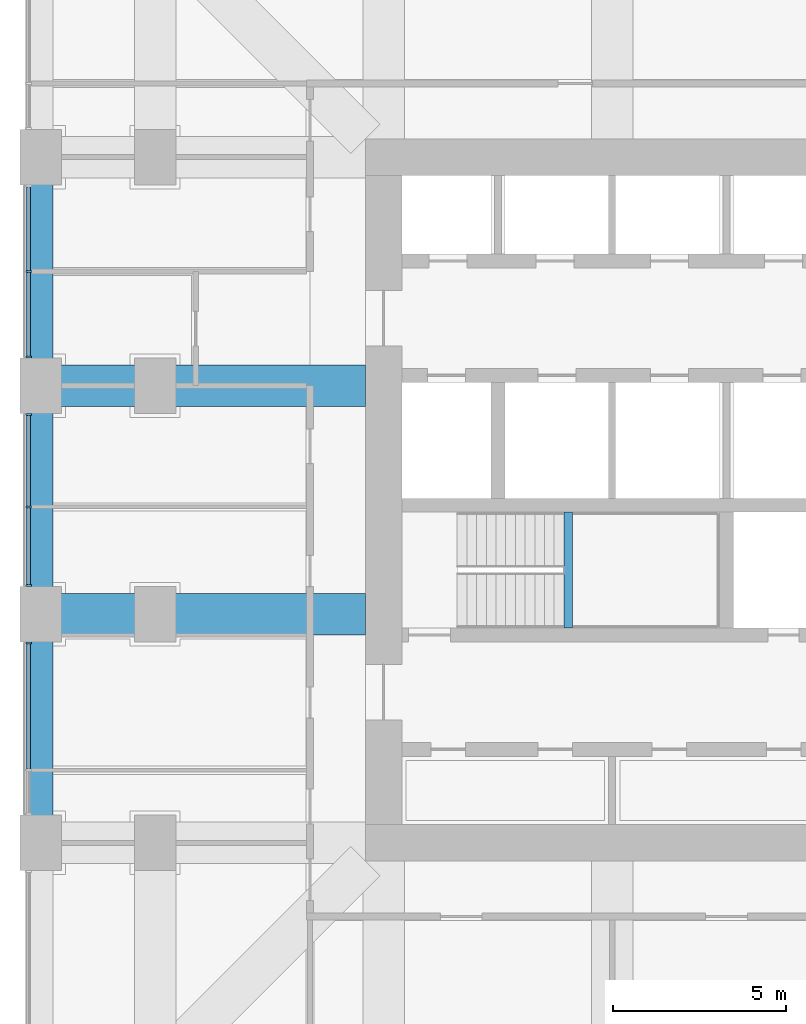
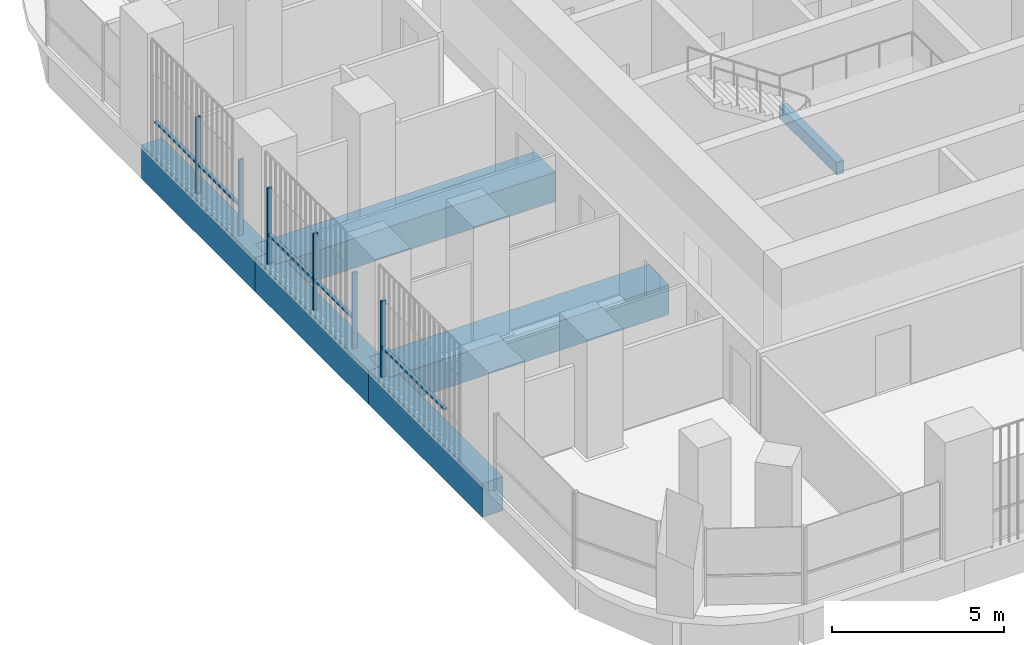
# One storey, part 4 of 20: 11 members, 6 beams, 3 elements without a shape of their own.
"""IFC4 building model written with IfcOpenShell, lengths in metres."""

from ifc_helpers import new_model, si_unit, direction, frame, origin, origin_2d, place, context, subcontext, project, spatial, rectangle, extrude, material, material_profile, profile_set, type_object, element, aggregate, save


model = new_model("IFC4")

# Units and contexts
model_context = context("Model", 3, precision=1e-05, world=origin(), true_north=direction((0.0, 1.0)))
body_context = subcontext(model_context, "Body", "Model", "MODEL_VIEW")
ifc_project = project(units=[si_unit("LENGTHUNIT", "METRE"), si_unit("AREAUNIT", "SQUARE_METRE"), si_unit("VOLUMEUNIT", "CUBIC_METRE"), si_unit("PLANEANGLEUNIT", "RADIAN"), si_unit("MASSUNIT", "GRAM", prefix="KILO")], contexts=[model_context])

# Site, building, storey
site_placement = place(None, origin())
site = spatial("IfcSite", under=ifc_project, at=site_placement, CompositionType="ELEMENT")
building_placement = place(site_placement, origin())
building = spatial("IfcBuilding", under=site, at=building_placement, Name="Cobogo Forest Laboratory Tower", CompositionType="ELEMENT")
storey_placement = place(building_placement, frame((0.0, 0.0, 189.300048828125)))
storey = spatial("IfcBuildingStorey", under=building, at=storey_placement, Name="L43", CompositionType="ELEMENT", Elevation=189.300048828125)

# Beams
ifc_material_1 = material(Name="Concrete HA-40 (C40/50)", Category="concrete")
ifc_material_profile_1 = material_profile(ifc_material_1, rectangle(XDim=0.25, YDim=0.449951171875, at=origin_2d()), Name="RC 250x450")
ifc_profile_set_1 = profile_set([ifc_material_profile_1], Name="Concrete HA-40 (C40/50)")
beam_type_1 = type_object("IfcBeamType", Name="LB1 landing beam 250x450", PredefinedType="BEAM", material=ifc_profile_set_1)
beam_1_placement = place(storey_placement, frame((18.530029296875, 19.39990234375, 1.675048828125), z_axis=(0.0, 1.0, 0.0), x_axis=(-1.0, 0.0, 0.0)))
element("IfcBeam", 1, at=beam_1_placement, inside=storey, type_object=beam_type_1, Name="Landing beam ST1 L43", PredefinedType="BEAM", context=body_context, shape_type="SweptSolid", body=[
    extrude(rectangle(XDim=0.25, YDim=0.449951171875, at=origin_2d()), origin(), (0.0, 0.0, 1.0), 3.35009765625),
])
ifc_material_profile_2 = material_profile(ifc_material_1, rectangle(XDim=1.199951171875, YDim=1.050048828125, at=origin_2d()), Name="RC 1200x1050")
ifc_profile_set_2 = profile_set([ifc_material_profile_2], Name="Concrete HA-40 (C40/50)")
beam_type_2 = type_object("IfcBeamType", Name="Laboratory floor wide beam 1200x1050", PredefinedType="BEAM", material=ifc_profile_set_2)
for number, where, z_axis, x_axis, name in (
    (2, (12.675048828125, 19.800048828125, -0.824951171875), (-1.0, 0.0, 0.0), (0.0, -1.0, 0.0), "RB1 R-D-W L43"),
    (3, (12.675048828125, 26.39990234375, -0.824951171875), (-1.0, 0.0, 0.0), (0.0, -1.0, 0.0), "RB1 R-E-W L43"),
):
    element("IfcBeam", number, at=place(storey_placement, frame(where, z_axis=z_axis, x_axis=x_axis)), inside=storey, type_object=beam_type_2, Name=name, PredefinedType="BEAM", context=body_context, shape_type="SweptSolid", body=[
        extrude(rectangle(XDim=1.199951171875, YDim=1.050048828125, at=origin_2d()), origin(), (0.0, 0.0, 1.0), 9.375),
    ])

# Curtain wall, members
ifc_material_2 = material(Name="Aluminium curtain wall", Category="aluminium")
curtain_wall_type = type_object("IfcCurtainWallType", Name="CW-2 unitised curtain wall, solar control glazing, laboratory floors zones C and D", PredefinedType="USERDEFINED", material=ifc_material_2)
curtain_wall_1_placement = place(storey_placement, origin())
curtain_wall_1 = element("IfcCurtainWall", 4, at=curtain_wall_1_placement, inside=storey, type_object=curtain_wall_type, Name="Curtain wall 25 L43", ObjectType="UNITISED CURTAIN WALL", PredefinedType="USERDEFINED")
ifc_material_3 = material(Name="Aluminium mullion", Category="aluminium")
ifc_material_profile_3 = material_profile(ifc_material_3, rectangle(XDim=0.06005859375, YDim=0.159912109375, at=origin_2d()), Name="AL 60x160")
ifc_profile_set_3 = profile_set([ifc_material_profile_3], Name="Aluminium mullion")
member_type_1 = type_object("IfcMemberType", Name="MU-1 aluminium mullion 60x160", PredefinedType="MULLION", material=ifc_profile_set_3)
member_1_placement = place(storey_placement, frame((2.949951171875, 29.699951171875, 0.0), z_axis=(0.0, 0.0, 1.0), x_axis=(0.0, -1.0, 0.0)))
member_1 = element("IfcMember", 5, at=member_1_placement, type_object=member_type_1, Name="CW-2 mullion 2", PredefinedType="MULLION", context=body_context, shape_type="SweptSolid", body=[
    extrude(rectangle(XDim=0.06005859375, YDim=0.159912109375, at=origin_2d()), origin(), (0.0, 0.0, 1.0), 2.699951171875),
])
member_2_placement = place(storey_placement, frame((2.949951171875, 27.22998046875, 0.0), z_axis=(0.0, 0.0, 1.0), x_axis=(0.0, -1.0, 0.0)))
member_2 = element("IfcMember", 6, at=member_2_placement, type_object=member_type_1, Name="CW-2 mullion 3", PredefinedType="MULLION", context=body_context, shape_type="SweptSolid", body=[
    extrude(rectangle(XDim=0.06005859375, YDim=0.159912109375, at=origin_2d()), origin(), (0.0, 0.0, 1.0), 2.699951171875),
])

curtain_wall_2_placement = place(storey_placement, origin())
curtain_wall_2 = element("IfcCurtainWall", 7, at=curtain_wall_2_placement, inside=storey, type_object=curtain_wall_type, Name="Curtain wall 26 L43", ObjectType="UNITISED CURTAIN WALL", PredefinedType="USERDEFINED")
member_3_placement = place(storey_placement, frame((2.949951171875, 25.570068359375, 0.0), z_axis=(0.0, 0.0, 1.0), x_axis=(0.0, -1.0, 0.0)))
member_3 = element("IfcMember", 8, at=member_3_placement, type_object=member_type_1, Name="CW-2 mullion 1", PredefinedType="MULLION", context=body_context, shape_type="SweptSolid", body=[
    extrude(rectangle(XDim=0.06005859375, YDim=0.159912109375, at=origin_2d()), origin(), (0.0, 0.0, 1.0), 2.699951171875),
])
member_4_placement = place(storey_placement, frame((2.949951171875, 22.89990234375, 0.0), z_axis=(0.0, 0.0, 1.0), x_axis=(0.0, -1.0, 0.0)))
member_4 = element("IfcMember", 9, at=member_4_placement, type_object=member_type_1, Name="CW-2 mullion 2", PredefinedType="MULLION", context=body_context, shape_type="SweptSolid", body=[
    extrude(rectangle(XDim=0.06005859375, YDim=0.159912109375, at=origin_2d()), origin(), (0.0, 0.0, 1.0), 2.699951171875),
])
member_5_placement = place(storey_placement, frame((2.949951171875, 20.6298828125, 0.0), z_axis=(0.0, 0.0, 1.0), x_axis=(0.0, -1.0, 0.0)))
member_5 = element("IfcMember", 10, at=member_5_placement, type_object=member_type_1, Name="CW-2 mullion 3", PredefinedType="MULLION", context=body_context, shape_type="SweptSolid", body=[
    extrude(rectangle(XDim=0.06005859375, YDim=0.159912109375, at=origin_2d()), origin(), (0.0, 0.0, 1.0), 2.699951171875),
])

# Curtain wall, member
curtain_wall_3_placement = place(storey_placement, origin())
curtain_wall_3 = element("IfcCurtainWall", 11, at=curtain_wall_3_placement, inside=storey, type_object=curtain_wall_type, Name="Curtain wall 27 L43", ObjectType="UNITISED CURTAIN WALL", PredefinedType="USERDEFINED")
member_6_placement = place(storey_placement, frame((2.949951171875, 18.969970703125, 0.0), z_axis=(0.0, 0.0, 1.0), x_axis=(0.0, -1.0, 0.0)))
member_6 = element("IfcMember", 12, at=member_6_placement, type_object=member_type_1, Name="CW-2 mullion 1", PredefinedType="MULLION", context=body_context, shape_type="SweptSolid", body=[
    extrude(rectangle(XDim=0.06005859375, YDim=0.159912109375, at=origin_2d()), origin(), (0.0, 0.0, 1.0), 2.699951171875),
])

# Beams
ifc_material_profile_4 = material_profile(ifc_material_1, rectangle(XDim=0.699951171875, YDim=1.199951171875, at=origin_2d()), Name="RC 700x1200")
ifc_profile_set_4 = profile_set([ifc_material_profile_4], Name="Concrete HA-40 (C40/50)")
beam_type_3 = type_object("IfcBeamType", Name="Perimeter edge beam 700x1200", PredefinedType="BEAM", material=ifc_profile_set_4)
beam_2_placement = place(storey_placement, frame((3.300048828125, 13.199951171875, -0.900146484375), z_axis=(0.0, 1.0, 0.0), x_axis=(-1.0, 0.0, 0.0)))
element("IfcBeam", 13, at=beam_2_placement, inside=storey, type_object=beam_type_3, Name="EB1 E-W1 L43", PredefinedType="BEAM", context=body_context, shape_type="SweptSolid", body=[
    extrude(rectangle(XDim=0.699951171875, YDim=1.199951171875, at=origin_2d()), origin(), (0.0, 0.0, 1.0), 6.60009765625),
])
beam_3_placement = place(storey_placement, frame((3.300048828125, 19.800048828125, -0.900146484375), z_axis=(0.0, 1.0, 0.0), x_axis=(-1.0, 0.0, 0.0)))
element("IfcBeam", 14, at=beam_3_placement, inside=storey, type_object=beam_type_3, Name="EB1 E-W2 L43", PredefinedType="BEAM", context=body_context, shape_type="SweptSolid", body=[
    extrude(rectangle(XDim=0.699951171875, YDim=1.199951171875, at=origin_2d()), origin(), (0.0, 0.0, 1.0), 6.599853515625),
])
beam_4_placement = place(storey_placement, frame((3.300048828125, 26.39990234375, -0.900146484375), z_axis=(0.0, 1.0, 0.0), x_axis=(-1.0, 0.0, 0.0)))
element("IfcBeam", 15, at=beam_4_placement, inside=storey, type_object=beam_type_3, Name="EB1 E-W3 L43", PredefinedType="BEAM", context=body_context, shape_type="SweptSolid", body=[
    extrude(rectangle(XDim=0.699951171875, YDim=1.199951171875, at=origin_2d()), origin(), (0.0, 0.0, 1.0), 6.60009765625),
])

# Member
ifc_material_4 = material(Name="Aluminium transom", Category="aluminium")
ifc_material_profile_5 = material_profile(ifc_material_4, rectangle(XDim=0.1201171875, YDim=0.06005859375, at=origin_2d()), Name="AL 60x120")
ifc_profile_set_5 = profile_set([ifc_material_profile_5], Name="Aluminium transom")
member_type_2 = type_object("IfcMemberType", Name="TR-1 aluminium transom 60x120", PredefinedType="USERDEFINED", material=ifc_profile_set_5)
member_7_placement = place(storey_placement, frame((2.949951171875, 32.139892578125, 1.050048828125), z_axis=(0.0, -1.0, 0.0), x_axis=(1.0, 0.0, 0.0)))
member_7 = element("IfcMember", 16, at=member_7_placement, type_object=member_type_2, Name="CW-2 transom 1.1", ObjectType="TRANSOM", PredefinedType="USERDEFINED", context=body_context, shape_type="SweptSolid", body=[
    extrude(rectangle(XDim=0.1201171875, YDim=0.06005859375, at=origin_2d()), origin(), (0.0, 0.0, 1.0), 2.409912109375),
])

member_8_placement = place(storey_placement, frame((2.949951171875, 29.669921875, 1.050048828125), z_axis=(0.0, -1.0, 0.0), x_axis=(1.0, 0.0, 0.0)))
member_8 = element("IfcMember", 17, at=member_8_placement, type_object=member_type_2, Name="CW-2 transom 2.1", ObjectType="TRANSOM", PredefinedType="USERDEFINED", context=body_context, shape_type="SweptSolid", body=[
    extrude(rectangle(XDim=0.1201171875, YDim=0.06005859375, at=origin_2d()), origin(), (0.0, 0.0, 1.0), 2.409912109375),
])

aggregate(curtain_wall_1, [member_1, member_2, member_7, member_8])

member_9_placement = place(storey_placement, frame((2.949951171875, 25.5400390625, 1.050048828125), z_axis=(0.0, -1.0, 0.0), x_axis=(1.0, 0.0, 0.0)))
member_9 = element("IfcMember", 18, at=member_9_placement, type_object=member_type_2, Name="CW-2 transom 1.1", ObjectType="TRANSOM", PredefinedType="USERDEFINED", context=body_context, shape_type="SweptSolid", body=[
    extrude(rectangle(XDim=0.1201171875, YDim=0.06005859375, at=origin_2d()), origin(), (0.0, 0.0, 1.0), 2.610107421875),
])

member_10_placement = place(storey_placement, frame((2.949951171875, 22.8701171875, 1.050048828125), z_axis=(0.0, -1.0, 0.0), x_axis=(1.0, 0.0, 0.0)))
member_10 = element("IfcMember", 19, at=member_10_placement, type_object=member_type_2, Name="CW-2 transom 2.1", ObjectType="TRANSOM", PredefinedType="USERDEFINED", context=body_context, shape_type="SweptSolid", body=[
    extrude(rectangle(XDim=0.1201171875, YDim=0.06005859375, at=origin_2d()), origin(), (0.0, 0.0, 1.0), 2.210205078125),
])

aggregate(curtain_wall_2, [member_3, member_4, member_5, member_9, member_10])

member_11_placement = place(storey_placement, frame((2.949951171875, 18.93994140625, 1.050048828125), z_axis=(0.0, -1.0, 0.0), x_axis=(1.0, 0.0, 0.0)))
member_11 = element("IfcMember", 20, at=member_11_placement, type_object=member_type_2, Name="CW-2 transom 1.1", ObjectType="TRANSOM", PredefinedType="USERDEFINED", context=body_context, shape_type="SweptSolid", body=[
    extrude(rectangle(XDim=0.1201171875, YDim=0.06005859375, at=origin_2d()), origin(), (0.0, 0.0, 1.0), 3.60986328125),
])

aggregate(curtain_wall_3, [member_6, member_11])

save(model, "model.ifc")
